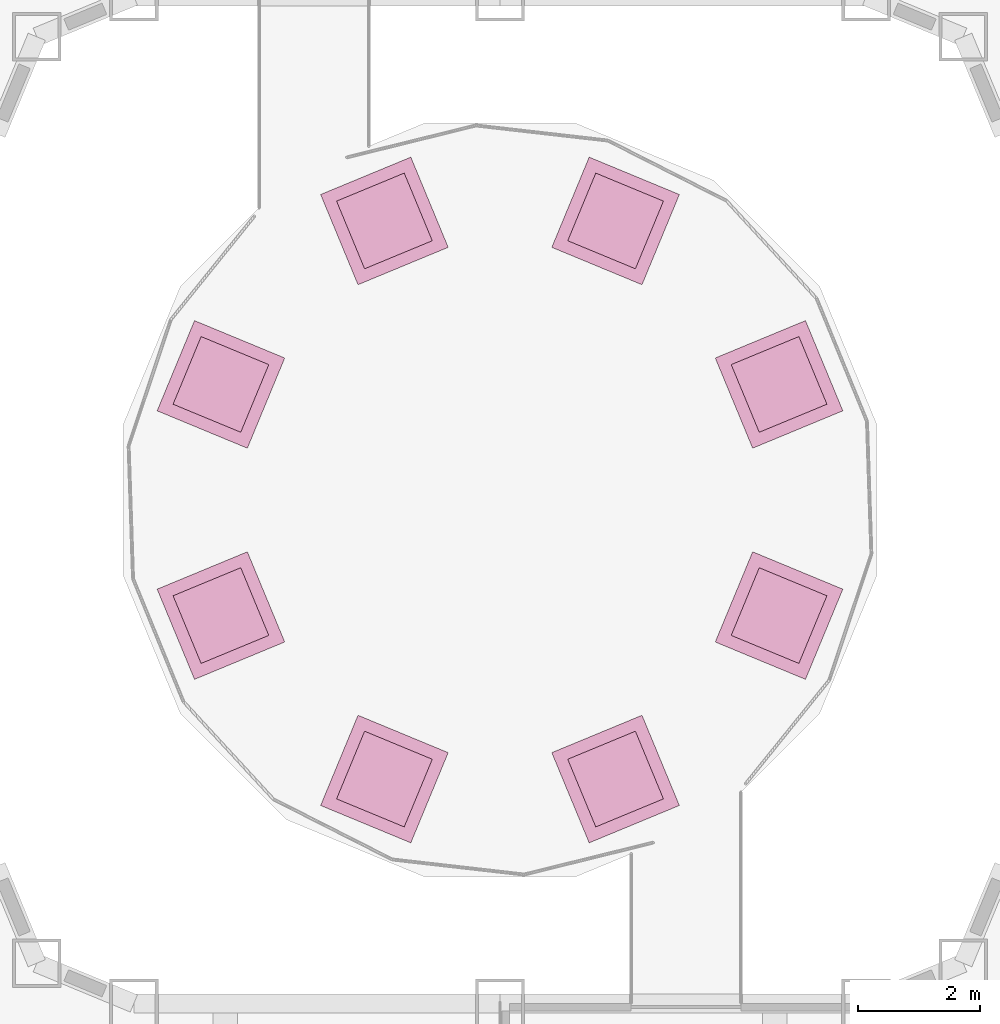
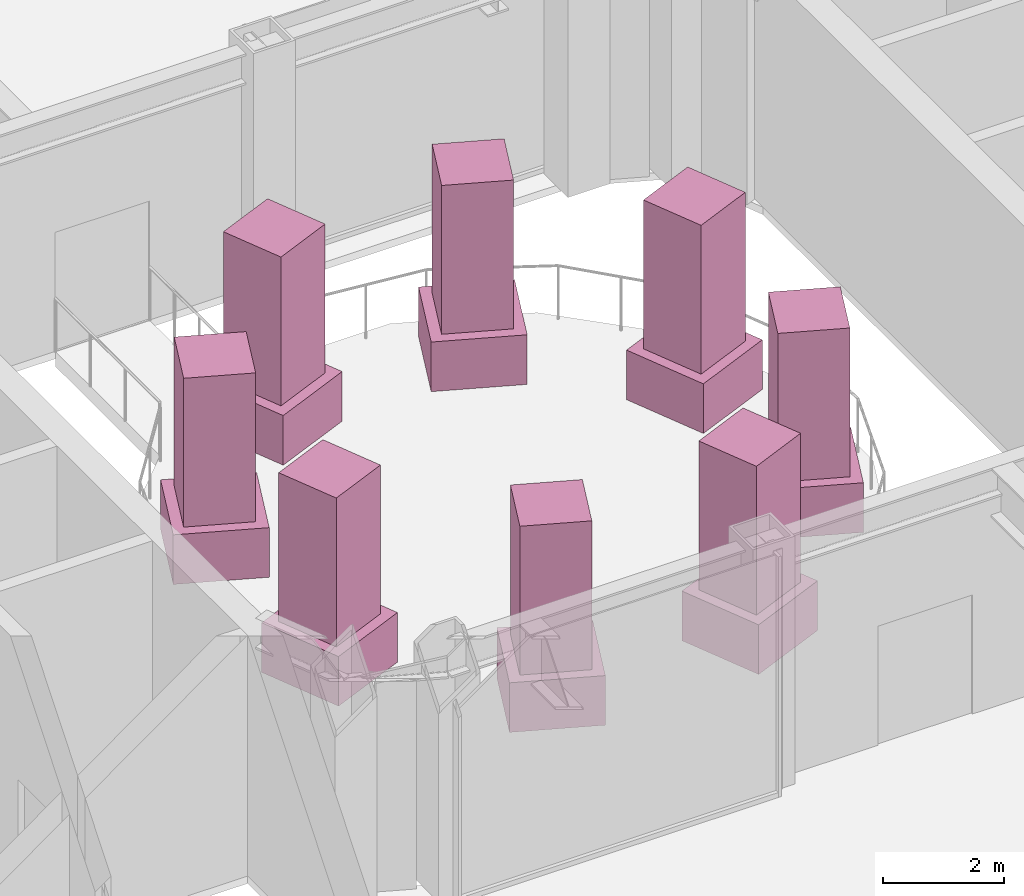
# One storey, part 25 of 25: 16 furnishings.
"""IFC4 building model written with IfcOpenShell, lengths in metres."""

from ifc_helpers import new_model, si_unit, direction, frame, origin, origin_2d, place, context, subcontext, project, spatial, rectangle, extrude, material, type_object, element, save


model = new_model("IFC4")

# Units and contexts
model_context = context("Model", 3, precision=1e-05, world=origin(), true_north=direction((0.0, 1.0)))
body_context = subcontext(model_context, "Body", "Model", "MODEL_VIEW")
ifc_project = project(units=[si_unit("LENGTHUNIT", "METRE"), si_unit("AREAUNIT", "SQUARE_METRE"), si_unit("VOLUMEUNIT", "CUBIC_METRE"), si_unit("PLANEANGLEUNIT", "RADIAN"), si_unit("MASSUNIT", "GRAM", prefix="KILO")], contexts=[model_context])

# Site, building, storey
site_placement = place(None, origin())
site = spatial("IfcSite", under=ifc_project, at=site_placement, CompositionType="ELEMENT")
building_placement = place(site_placement, origin())
building = spatial("IfcBuilding", under=site, at=building_placement, Name="Siwar Civic Tower", CompositionType="ELEMENT")
storey_placement = place(building_placement, frame((0.0, 0.0, 17.199951171875)))
storey = spatial("IfcBuildingStorey", under=building, at=storey_placement, Name="L03", CompositionType="ELEMENT", Elevation=17.199951171875)

# Furnishings
ifc_material_1 = material(Name="Concrete C40/50", Category="concrete")
furnishing_element_type_1 = type_object("IfcFurnishingElementType", Name="GND-PLANTER", material=ifc_material_1)
for number, where, z_axis, x_axis, name in (
    (1, (4.572998046875, 1.89404296875, 0.0), (0.0, 0.0, 1.0), (0.923879532511, 0.382683432365, 0.0), "PLANTER"),
    (2, (1.89404296875, 4.572998046875, 0.0), (0.0, 0.0, 1.0), (0.382683432365, 0.923879532511, 0.0), "PLANTER"),
    (3, (-1.89404296875, 4.572998046875, 0.0), (0.0, 0.0, 1.0), (-0.382683432365, 0.923879532511, 0.0), "PLANTER"),
    (4, (-4.572998046875, 1.89404296875, 0.0), (0.0, 0.0, 1.0), (-0.923879532511, 0.382683432365, 0.0), "PLANTER"),
    (5, (-4.572998046875, -1.89404296875, 0.0), (0.0, 0.0, 1.0), (-0.923879532511, -0.382683432365, 0.0), "PLANTER"),
    (6, (-1.89404296875, -4.572998046875, 0.0), (0.0, 0.0, 1.0), (-0.382683432365, -0.923879532511, 0.0), "PLANTER"),
    (7, (1.89404296875, -4.572998046875, 0.0), (0.0, 0.0, 1.0), (0.382683432365, -0.923879532511, 0.0), "PLANTER"),
    (8, (4.572998046875, -1.89404296875, 0.0), (0.0, 0.0, 1.0), (0.923879532511, -0.382683432365, 0.0), "PLANTER"),
):
    element("IfcFurnishingElement", number, at=place(storey_placement, frame(where, z_axis=z_axis, x_axis=x_axis)), inside=storey, type_object=furnishing_element_type_1, Name=name, context=body_context, shape_type="SweptSolid", body=[
        extrude(rectangle(XDim=1.60009765625, YDim=1.60009765625, at=origin_2d()), origin(), (0.0, 0.0, 1.0), 1.0),
    ])
ifc_material_2 = material(Name="Planting soil and foliage")
furnishing_element_type_2 = type_object("IfcFurnishingElementType", Name="GND-TREE", material=ifc_material_2)
for number, where, z_axis, x_axis, name in (
    (9, (4.572998046875, 1.89404296875, 1.0), (0.0, 0.0, 1.0), (0.923879532511, 0.382683432365, 0.0), "PLANTER (TREE)"),
    (10, (1.89404296875, 4.572998046875, 1.0), (0.0, 0.0, 1.0), (0.382683432365, 0.923879532511, 0.0), "PLANTER (TREE)"),
    (11, (-1.89404296875, 4.572998046875, 1.0), (0.0, 0.0, 1.0), (-0.382683432365, 0.923879532511, 0.0), "PLANTER (TREE)"),
    (12, (-4.572998046875, 1.89404296875, 1.0), (0.0, 0.0, 1.0), (-0.923879532511, 0.382683432365, 0.0), "PLANTER (TREE)"),
    (13, (-4.572998046875, -1.89404296875, 1.0), (0.0, 0.0, 1.0), (-0.923879532511, -0.382683432365, 0.0), "PLANTER (TREE)"),
    (14, (-1.89404296875, -4.572998046875, 1.0), (0.0, 0.0, 1.0), (-0.382683432365, -0.923879532511, 0.0), "PLANTER (TREE)"),
    (15, (1.89404296875, -4.572998046875, 1.0), (0.0, 0.0, 1.0), (0.382683432365, -0.923879532511, 0.0), "PLANTER (TREE)"),
    (16, (4.572998046875, -1.89404296875, 1.0), (0.0, 0.0, 1.0), (0.923879532511, -0.382683432365, 0.0), "PLANTER (TREE)"),
):
    element("IfcFurnishingElement", number, at=place(storey_placement, frame(where, z_axis=z_axis, x_axis=x_axis)), inside=storey, type_object=furnishing_element_type_2, Name=name, context=body_context, shape_type="SweptSolid", body=[
        extrude(rectangle(XDim=1.199951171875, YDim=1.199951171875, at=origin_2d()), origin(), (0.0, 0.0, 1.0), 3.0),
    ])

save(model, "model.ifc")
